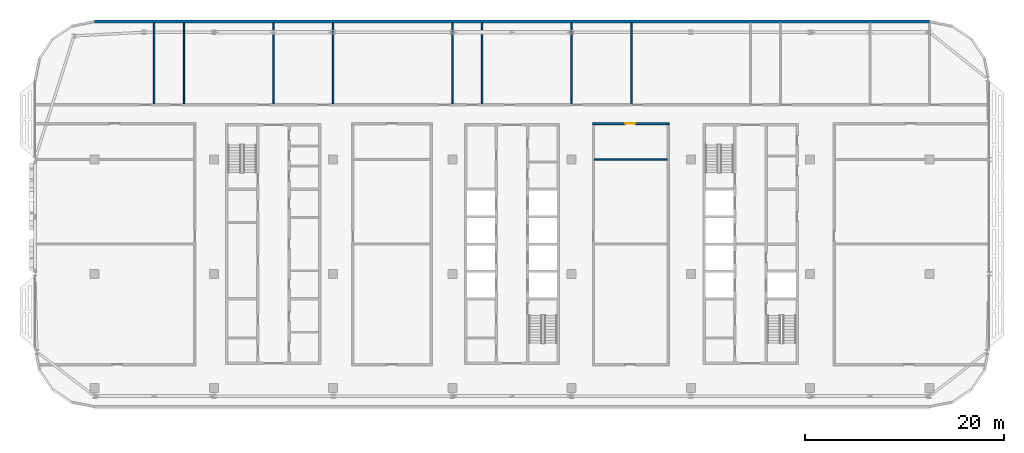
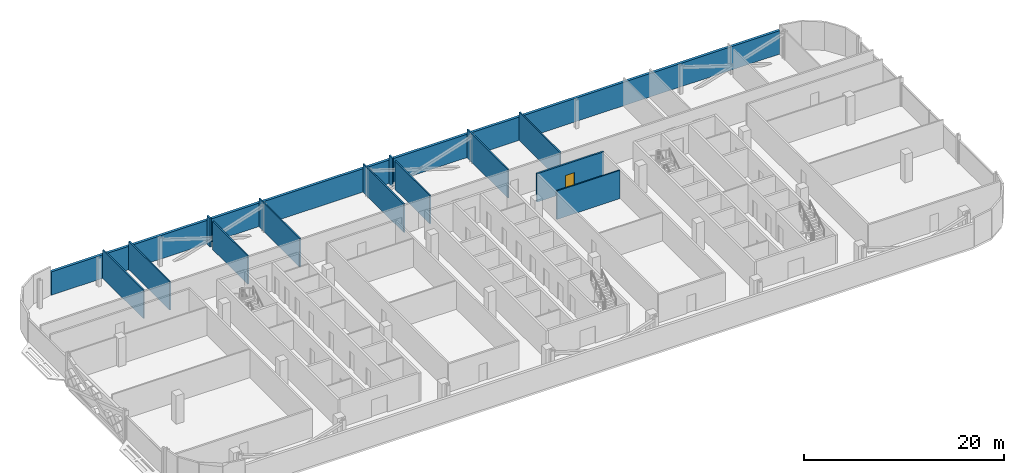
# One storey, part 17 of 28: 13 walls, 1 door, 1 opening.
"""IFC4 building model written with IfcOpenShell, lengths in metres."""

from ifc_helpers import new_model, si_unit, direction, frame, frame_2d, origin, place, context, subcontext, project, spatial, rectangle, extrude, material, layer, layer_set, type_object, element, fill, save


model = new_model("IFC4")

# Units and contexts
model_context = context("Model", 3, precision=1e-05, world=origin(), true_north=direction((0.0, 1.0)))
body_context = subcontext(model_context, "Body", "Model", "MODEL_VIEW")
ifc_project = project(units=[si_unit("LENGTHUNIT", "METRE"), si_unit("AREAUNIT", "SQUARE_METRE"), si_unit("VOLUMEUNIT", "CUBIC_METRE"), si_unit("PLANEANGLEUNIT", "RADIAN"), si_unit("MASSUNIT", "GRAM", prefix="KILO")], contexts=[model_context])

# Site, building, storey
site_placement = place(None, origin())
site = spatial("IfcSite", under=ifc_project, at=site_placement, CompositionType="ELEMENT")
building_placement = place(site_placement, origin())
building = spatial("IfcBuilding", under=site, at=building_placement, Name="Mahtab Terrace Research Tower", CompositionType="ELEMENT")
storey_placement = place(building_placement, frame((0.0, 0.0, 270.89990234375)))
storey = spatial("IfcBuildingStorey", under=building, at=storey_placement, Name="L66", CompositionType="ELEMENT", Elevation=270.89990234375)

# Wall
ifc_material_1 = material(Name="Black aluminium cladding panel", Category="aluminium")
ifc_layer_1 = layer(ifc_material_1, 0.300048828125)
ifc_layer_set_1 = layer_set([ifc_layer_1], Name="Opaque facade wall 300")
wall_type_1 = type_object("IfcWallType", Name="Opaque facade wall 300", PredefinedType="NOTDEFINED", material=ifc_layer_set_1)
wall_1_placement = place(storey_placement, frame((42.0, 25.389892578125, 0.0), z_axis=(0.0, 0.0, 1.0), x_axis=(-1.0, 0.0, 0.0)))
element("IfcWall", 1, at=wall_1_placement, inside=storey, type_object=wall_type_1, Name="Opaque facade wall L66 N3", PredefinedType="NOTDEFINED", context=body_context, shape_type="SweptSolid", body=[
    extrude(rectangle(XDim=84.0, YDim=0.300048828125, at=frame_2d((42.0, 0.0))), origin(), (0.0, 0.0, 1.0), 2.85302734375),
])

# Wall, opening, door
ifc_material_2 = material(Name="Gypsum board corridor wall on steel studs", Category="steel")
ifc_layer_2 = layer(ifc_material_2, 0.199951171875)
ifc_layer_set_2 = layer_set([ifc_layer_2], Name="WALL CORRIDOR 200")
wall_type_2 = type_object("IfcWallType", Name="WALL CORRIDOR 200", PredefinedType="PARTITIONING", material=ifc_layer_set_2)
wall_2_placement = place(storey_placement, frame((8.10009765625, 15.125, 0.0), z_axis=(0.0, 0.0, 1.0), x_axis=(1.0, 0.0, 0.0)))
wall_2 = element("IfcWall", 2, at=wall_2_placement, inside=storey, type_object=wall_type_2, Name="L66-W017", PredefinedType="PARTITIONING", context=body_context, shape_type="SweptSolid", body=[
    extrude(rectangle(XDim=7.699951171875, YDim=0.199951171875, at=frame_2d((3.85009765625, 0.0))), origin(), (0.0, 0.0, 1.0), 3.460205078125),
])
opening_placement = place(wall_2_placement, frame((3.300048828125, 0.0, 0.0)))
opening = element("IfcOpeningElement", 3, at=opening_placement, cuts=wall_2, Name="Opening L66-111", PredefinedType="OPENING", context=body_context, shape_type="SweptSolid", body=[
    extrude(rectangle(XDim=1.0, YDim=2.10009765625, at=frame_2d((0.5, 1.050048828125))), frame((0.0, 0.10986328125, 0.0), z_axis=(0.0, -1.0, 0.0), x_axis=(1.0, 0.0, 0.0)), (0.0, 0.0, 1.0), 0.219970703125),
])
ifc_material_3 = material(Name="Timber door leaf in steel frame", Category="steel")
door_type = type_object("IfcDoorType", Name="DOOR 1000X2100 FD30S", OperationType="SINGLE_SWING_LEFT", PredefinedType="DOOR", material=ifc_material_3)
door_placement = place(opening_placement, origin())
door = element("IfcDoor", 4, at=door_placement, inside=storey, type_object=door_type, Name="Door L66-111", OperationType="SINGLE_SWING_RIGHT", OverallHeight=2.10009765625, OverallWidth=1.0, PredefinedType="DOOR", context=body_context, shape_type="SweptSolid", body=[
    extrude(rectangle(XDim=1.0, YDim=2.10009765625, at=frame_2d((0.5, 1.050048828125))), frame((0.0, 0.02490234375, 0.0), z_axis=(0.0, -1.0, 0.0), x_axis=(1.0, 0.0, 0.0)), (0.0, 0.0, 1.0), 0.050048828125),
])
fill(opening, door)

# Walls
ifc_material_4 = material(Name="Gypsum board partition on steel studs", Category="steel")
ifc_layer_3 = layer(ifc_material_4, 0.14990234375)
ifc_layer_set_3 = layer_set([ifc_layer_3], Name="WALL PARTITION 150")
wall_type_3 = type_object("IfcWallType", Name="WALL PARTITION 150", PredefinedType="PARTITIONING", material=ifc_layer_set_3)
wall_3_placement = place(storey_placement, frame((8.300048828125, 11.5, 0.0), z_axis=(0.0, 0.0, 1.0), x_axis=(1.0, 0.0, 0.0)))
element("IfcWall", 5, at=wall_3_placement, inside=storey, type_object=wall_type_3, Name="L66-W012", PredefinedType="PARTITIONING", context=body_context, shape_type="SweptSolid", body=[
    extrude(rectangle(XDim=7.300048828125, YDim=0.14990234375, at=frame_2d((3.64990234375, 0.0))), origin(), (0.0, 0.0, 1.0), 3.460205078125),
])
for number, where, z_axis, x_axis, name in (
    (6, (-36.0, 17.10009765625, 0.0), (0.0, 0.0, 1.0), (0.0, 1.0, 0.0), "L66-W020"),
    (7, (-33.0, 17.10009765625, 0.0), (0.0, 0.0, 1.0), (0.0, 1.0, 0.0), "L66-W021"),
):
    element("IfcWall", number, at=place(storey_placement, frame(where, z_axis=z_axis, x_axis=x_axis)), inside=storey, type_object=wall_type_3, Name=name, PredefinedType="PARTITIONING", context=body_context, shape_type="SweptSolid", body=[
        extrude(rectangle(XDim=8.139892578125, YDim=0.14990234375, at=frame_2d((4.06982421875, 0.0))), origin(), (0.0, 0.0, 1.0), 3.460205078125),
    ])
wall_4_placement = place(storey_placement, frame((-24.0, 17.10009765625, 0.0), z_axis=(0.0, 0.0, 1.0), x_axis=(0.0, 1.0, 0.0)))
element("IfcWall", 8, at=wall_4_placement, inside=storey, type_object=wall_type_3, Name="L66-W023", PredefinedType="PARTITIONING", context=body_context, shape_type="SweptSolid", body=[
    extrude(rectangle(XDim=6.95458984375, YDim=0.14990234375, at=frame_2d((3.477294921875, 0.0))), origin(), (0.0, 0.0, 1.0), 3.460205078125),
])
wall_5_placement = place(storey_placement, frame((-24.0, 24.559326171875, 0.0), z_axis=(0.0, 0.0, 1.0), x_axis=(0.0, 1.0, 0.0)))
element("IfcWall", 9, at=wall_5_placement, inside=storey, type_object=wall_type_3, Name="L66-W024", PredefinedType="PARTITIONING", context=body_context, shape_type="SweptSolid", body=[
    extrude(rectangle(XDim=0.6806640625, YDim=0.14990234375, at=frame_2d((0.34033203125, 0.0))), origin(), (0.0, 0.0, 1.0), 3.460205078125),
])
for number, where, z_axis, x_axis, name in (
    (10, (-18.0, 17.10009765625, 0.0), (0.0, 0.0, 1.0), (0.0, 1.0, 0.0), "L66-W025"),
    (11, (-6.0, 17.10009765625, 0.0), (0.0, 0.0, 1.0), (0.0, 1.0, 0.0), "L66-W028"),
):
    element("IfcWall", number, at=place(storey_placement, frame(where, z_axis=z_axis, x_axis=x_axis)), inside=storey, type_object=wall_type_3, Name=name, PredefinedType="PARTITIONING", context=body_context, shape_type="SweptSolid", body=[
        extrude(rectangle(XDim=8.139892578125, YDim=0.14990234375, at=frame_2d((4.06982421875, 0.0))), origin(), (0.0, 0.0, 1.0), 3.460205078125),
    ])
wall_6_placement = place(storey_placement, frame((-3.0, 17.10009765625, 0.0), z_axis=(0.0, 0.0, 1.0), x_axis=(0.0, 1.0, 0.0)))
element("IfcWall", 12, at=wall_6_placement, inside=storey, type_object=wall_type_3, Name="L66-W029", PredefinedType="PARTITIONING", context=body_context, shape_type="SweptSolid", body=[
    extrude(rectangle(XDim=6.95458984375, YDim=0.14990234375, at=frame_2d((3.477294921875, 0.0))), origin(), (0.0, 0.0, 1.0), 3.460205078125),
])
wall_7_placement = place(storey_placement, frame((-3.0, 24.559326171875, 0.0), z_axis=(0.0, 0.0, 1.0), x_axis=(0.0, 1.0, 0.0)))
element("IfcWall", 13, at=wall_7_placement, inside=storey, type_object=wall_type_3, Name="L66-W030", PredefinedType="PARTITIONING", context=body_context, shape_type="SweptSolid", body=[
    extrude(rectangle(XDim=0.6806640625, YDim=0.14990234375, at=frame_2d((0.34033203125, 0.0))), origin(), (0.0, 0.0, 1.0), 3.460205078125),
])
for number, where, z_axis, x_axis, name in (
    (14, (6.0, 17.10009765625, 0.0), (0.0, 0.0, 1.0), (0.0, 1.0, 0.0), "L66-W031"),
    (15, (12.0, 17.10009765625, 0.0), (0.0, 0.0, 1.0), (0.0, 1.0, 0.0), "L66-W033"),
):
    element("IfcWall", number, at=place(storey_placement, frame(where, z_axis=z_axis, x_axis=x_axis)), inside=storey, type_object=wall_type_3, Name=name, PredefinedType="PARTITIONING", context=body_context, shape_type="SweptSolid", body=[
        extrude(rectangle(XDim=8.139892578125, YDim=0.14990234375, at=frame_2d((4.06982421875, 0.0))), origin(), (0.0, 0.0, 1.0), 3.460205078125),
    ])

save(model, "model.ifc")
